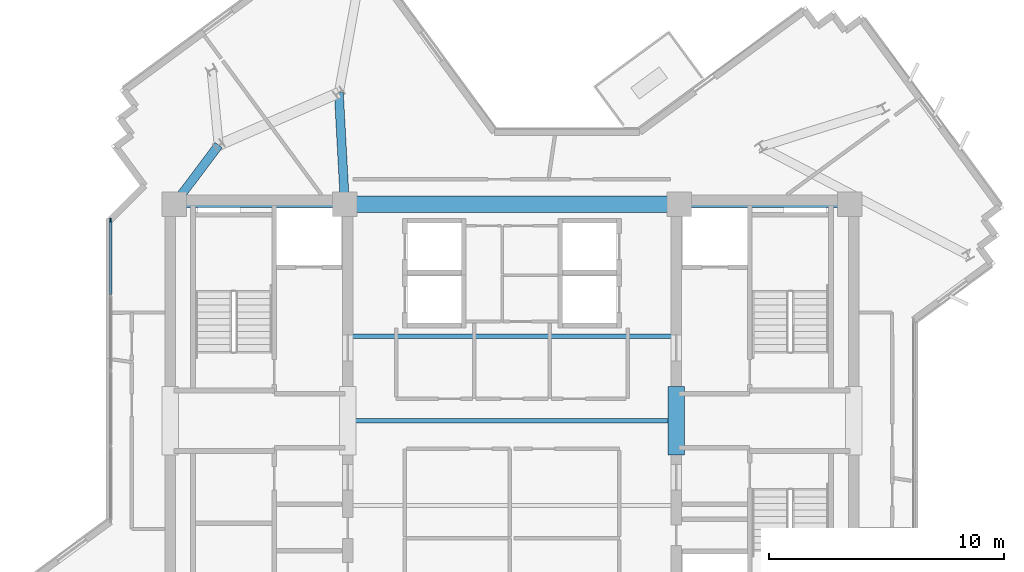
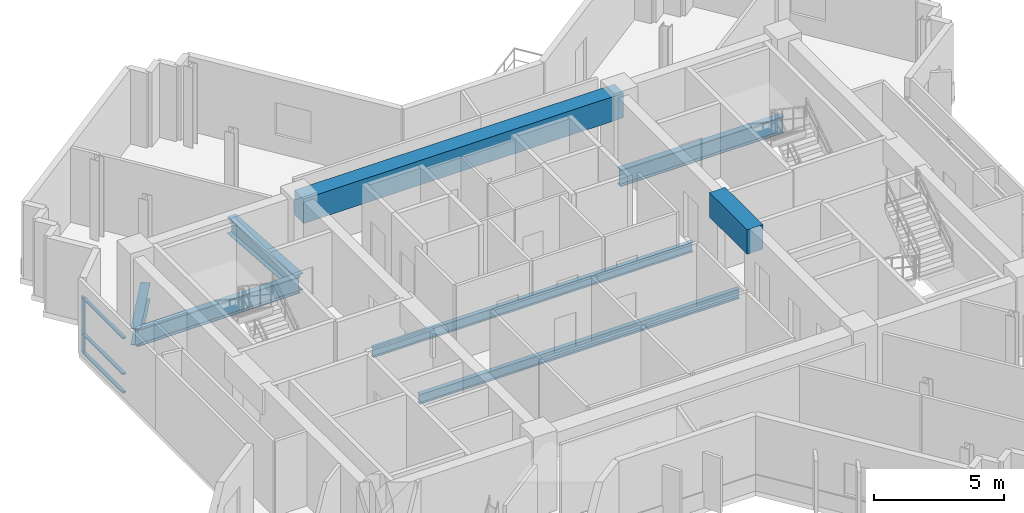
# One storey, part 3 of 13: 8 beams, 4 members, 1 element without a shape of its own.
"""IFC4 building model written with IfcOpenShell, lengths in metres."""

import ifcopenshell
import ifcopenshell.guid

model = None  # the IFC model being written
_history = None  # IfcOwnerHistory: only IFC2X3 demands one
_inside = {}  # id of a spatial element -> (the spatial element, [elements in it])
_under = {}  # id of a project, library or spatial element -> (it, [spatial elements below it])
_declared = {}  # id of a project -> (the project, [libraries it declares])
_typed = {}  # id of a type object -> (the type object, [elements of that type])
_made_of = {}  # id of a material, layer set ... -> (it, [elements and type objects made of it])


def new_model(schema):
    """Start an empty IFC model of exactly this schema.

    Asked for "IFC4X3", IfcOpenShell would pick the latest addendum, in which some entities
    have other attributes; the version numbers below select the first issue.
    IFC2X3 requires an IfcOwnerHistory on every rooted entity: one is made here for all.
    """
    global model, _history
    if schema == "IFC4X3":
        model = ifcopenshell.file(schema_version=(4, 3, 0, 0))
    else:
        model = ifcopenshell.file(schema=schema)
    _inside.clear()
    _under.clear()
    _declared.clear()
    _typed.clear()
    _made_of.clear()
    _history = None
    if model.schema == "IFC2X3":
        org = make("IfcOrganization", Name="unknown")
        user = make(
            "IfcPersonAndOrganization",
            ThePerson=make("IfcPerson", FamilyName="unknown"),
            TheOrganization=org,
        )
        app = make(
            "IfcApplication",
            ApplicationDeveloper=org,
            Version="unknown",
            ApplicationFullName="unknown",
            ApplicationIdentifier="unknown",
        )
        _history = make(
            "IfcOwnerHistory",
            OwningUser=user,
            OwningApplication=app,
            ChangeAction="ADDED",
            CreationDate=0,
        )
    return model


def make(cls, **values):
    """One entity of the class cls with the attributes given. An attribute that is None is left unset."""
    return model.create_entity(
        cls, **{name: value for name, value in values.items() if value is not None}
    )


def rooted(cls, **values):
    """An entity with a GlobalId (a new one), such as an element, a storey or a relation."""
    return make(cls, GlobalId=ifcopenshell.guid.new(), OwnerHistory=_history, **values)


def si_unit(unit_type, name, prefix=None):
    """IfcSIUnit, for example si_unit("LENGTHUNIT", "METRE", prefix="MILLI")."""
    return make("IfcSIUnit", UnitType=unit_type, Prefix=prefix, Name=name)


def assignment(units):
    """IfcUnitAssignment: the units of a project."""
    return None if units is None else make("IfcUnitAssignment", Units=units)


def point(xyz):
    """IfcCartesianPoint."""
    return None if xyz is None else make("IfcCartesianPoint", Coordinates=xyz)


def direction(xyz):
    """IfcDirection."""
    return None if xyz is None else make("IfcDirection", DirectionRatios=xyz)


def frame(location, z_axis=None, x_axis=None):
    """IfcAxis2Placement3D, a coordinate frame: its origin and axes. An axis left out is left unset."""
    return make(
        "IfcAxis2Placement3D",
        Location=point(location),
        Axis=direction(z_axis),
        RefDirection=direction(x_axis),
    )


def frame_2d(location, x_axis=None):
    """IfcAxis2Placement2D, a coordinate frame in the plane: its origin and x axis."""
    return make(
        "IfcAxis2Placement2D", Location=point(location), RefDirection=direction(x_axis)
    )


def origin():
    """The frame at (0, 0, 0) with its axes left unset."""
    return frame((0.0, 0.0, 0.0))


def origin_2d():
    """The frame at (0, 0) in the plane with its x axis left unset."""
    return frame_2d((0.0, 0.0))


def place(relative_to, where):
    """IfcLocalPlacement: puts the frame where relative to a parent placement (None: the world)."""
    return make(
        "IfcLocalPlacement", PlacementRelTo=relative_to, RelativePlacement=where
    )


def context(
    kind, dimensions, precision=None, world=None, true_north=None, identifier=None
):
    """IfcGeometricRepresentationContext, for example the 3D "Model" context."""
    return make(
        "IfcGeometricRepresentationContext",
        ContextIdentifier=identifier,
        ContextType=kind,
        CoordinateSpaceDimension=dimensions,
        Precision=precision,
        WorldCoordinateSystem=world,
        TrueNorth=true_north,
    )


def subcontext(parent, identifier, kind, view, scale=None):
    """IfcGeometricRepresentationSubContext, for example "Body" below "Model"."""
    return make(
        "IfcGeometricRepresentationSubContext",
        ContextIdentifier=identifier,
        ContextType=kind,
        ParentContext=parent,
        TargetScale=scale,
        TargetView=view,
    )


def project(units=None, contexts=None):
    """IfcProject with its units and contexts."""
    return rooted(
        "IfcProject",
        Name="project",
        RepresentationContexts=contexts,
        UnitsInContext=assignment(units),
    )


def spatial(cls, under=None, at=None, **own):
    """A site, building, storey or space (cls), placed at a placement, below another one or the project."""
    s = rooted(cls, ObjectPlacement=at, **own)
    if under is not None:
        _under.setdefault(under.id(), (under, []))[1].append(s)
    return s


def profile(cls, at=None, kind="AREA", **sizes):
    """A parametric profile (cls). Its sizes go by their IFC names, for example OverallWidth=200.0."""
    return make(cls, ProfileType=kind, Position=at, **sizes)


def rectangle(**sizes):
    """IfcRectangleProfileDef."""
    return profile("IfcRectangleProfileDef", **sizes)


def i_section(**sizes):
    """IfcIShapeProfileDef."""
    return profile("IfcIShapeProfileDef", **sizes)


def extrude(swept, where, along, depth):
    """IfcExtrudedAreaSolid: the profile swept, set in the frame where, extruded along a direction by depth."""
    return make(
        "IfcExtrudedAreaSolid",
        SweptArea=swept,
        Position=where,
        ExtrudedDirection=direction(along),
        Depth=depth,
    )


def shape(context_of_items, identifier, shape_type, items):
    """IfcShapeRepresentation: the items that make up one representation, for example the "Body"."""
    return make(
        "IfcShapeRepresentation",
        ContextOfItems=context_of_items,
        RepresentationIdentifier=identifier,
        RepresentationType=shape_type,
        Items=items,
    )


def source(mapping_origin, context_of_items, identifier, shape_type, items):
    """IfcRepresentationMap: a shape defined once, which mapped items show again and again."""
    return make(
        "IfcRepresentationMap",
        MappingOrigin=mapping_origin,
        MappedRepresentation=shape(context_of_items, identifier, shape_type, items),
    )


def transform(
    local_origin,
    x_axis=None,
    y_axis=None,
    z_axis=None,
    scale=None,
    scale2=None,
    scale3=None,
    uniform=True,
):
    """IfcCartesianTransformationOperator3D, or its non-uniform kind. x_axis, y_axis, z_axis: its Axis1, 2, 3."""
    if uniform:
        return make(
            "IfcCartesianTransformationOperator3D",
            Axis1=direction(x_axis),
            Axis2=direction(y_axis),
            LocalOrigin=point(local_origin),
            Scale=scale,
            Axis3=direction(z_axis),
        )
    return make(
        "IfcCartesianTransformationOperator3DnonUniform",
        Axis1=direction(x_axis),
        Axis2=direction(y_axis),
        LocalOrigin=point(local_origin),
        Scale=scale,
        Axis3=direction(z_axis),
        Scale2=scale2,
        Scale3=scale3,
    )


def mapped(mapping_source, mapping_target):
    """IfcMappedItem: shows the shape of a source again, moved by a transform."""
    return make(
        "IfcMappedItem", MappingSource=mapping_source, MappingTarget=mapping_target
    )


def material(Name=None, Category=None):
    """IfcMaterial."""
    return make("IfcMaterial", Name=Name, Category=Category)


def layer(
    of_material, thickness, ventilated=None, Name=None, Category=None, Priority=None
):
    """IfcMaterialLayer: one layer of a wall or slab, of a material (None: an air gap)."""
    return make(
        "IfcMaterialLayer",
        Material=of_material,
        LayerThickness=thickness,
        IsVentilated=ventilated,
        Name=Name,
        Category=Category,
        Priority=Priority,
    )


def layer_set(layers, Name=None):
    """IfcMaterialLayerSet."""
    return make("IfcMaterialLayerSet", MaterialLayers=layers, LayerSetName=Name)


def material_profile(
    of_material, cross_section, Name=None, Category=None, Priority=None
):
    """IfcMaterialProfile: a cross section and its material."""
    return make(
        "IfcMaterialProfile",
        Name=Name,
        Material=of_material,
        Profile=cross_section,
        Priority=Priority,
        Category=Category,
    )


def profile_set(profiles, Name=None, composite=None):
    """IfcMaterialProfileSet."""
    return make(
        "IfcMaterialProfileSet",
        Name=Name,
        MaterialProfiles=profiles,
        CompositeProfile=composite,
    )


def made_of(thing, what):
    """Note that an element or type object is made of a material, layer set ...; save() writes the relation."""
    if what is not None:
        _made_of.setdefault(what.id(), (what, []))[1].append(thing)
    return thing


def type_object(cls, material=None, **own):
    """A type object (cls), such as IfcWallType, which elements share."""
    return made_of(rooted(cls, **own), material)


def element(
    cls,
    number,
    at=None,
    inside=None,
    cuts=None,
    type_object=None,
    material=None,
    context=None,
    identifier="Body",
    shape_type=None,
    held_by="IfcProductDefinitionShape",
    body=None,
    shapes=None,
    **own,
):
    """One element of the class cls, such as IfcWall. Its Tag is "e" and its number.

    at: its placement. inside: the storey or other place that contains it. cuts: it is an
    opening in that element (IfcRelVoidsElement). A single representation is given by context,
    identifier, shape_type and body (its items); several are given by shapes. held_by: the class
    of the entity that holds the representations. save() writes the other relations.
    """
    e = rooted(cls, Tag="e%d" % number, ObjectPlacement=at, **own)
    if body is not None:
        shapes = [shape(context, identifier, shape_type, body)]
    if shapes is not None:
        e.Representation = make(held_by, Representations=shapes)
    if inside is not None:
        _inside.setdefault(inside.id(), (inside, []))[1].append(e)
    if cuts is not None:
        rooted(
            "IfcRelVoidsElement", RelatingBuildingElement=cuts, RelatedOpeningElement=e
        )
    if type_object is not None:
        _typed.setdefault(type_object.id(), (type_object, []))[1].append(e)
    return made_of(e, material)


def aggregate(whole, parts):
    """IfcRelAggregates: a whole, such as a stair, and the parts it consists of."""
    return rooted("IfcRelAggregates", RelatingObject=whole, RelatedObjects=parts)


def save(model, path):
    """Write the relations noted so far, then the file.

    IfcRelAggregates (storeys below a building ...), IfcRelContainedInSpatialStructure (elements
    in a storey), IfcRelDefinesByType, IfcRelAssociatesMaterial and IfcRelDeclares: one each for
    every whole, place, type object, material and project.
    """
    for whole, parts in _under.values():
        aggregate(whole, parts)
    for where, things in _inside.values():
        rooted(
            "IfcRelContainedInSpatialStructure",
            RelatedElements=things,
            RelatingStructure=where,
        )
    for kind, things in _typed.values():
        rooted("IfcRelDefinesByType", RelatedObjects=things, RelatingType=kind)
    for what, things in _made_of.values():
        rooted("IfcRelAssociatesMaterial", RelatedObjects=things, RelatingMaterial=what)
    for by, libraries in _declared.values():
        rooted("IfcRelDeclares", RelatingContext=by, RelatedDefinitions=libraries)
    model.write(path)


model = new_model("IFC4")

# Units and contexts
model_context = context("Model", 3, precision=1e-05, world=origin(), true_north=direction((0.0, 1.0)))
body_context = subcontext(model_context, "Body", "Model", "MODEL_VIEW")
ifc_project = project(units=[si_unit("LENGTHUNIT", "METRE"), si_unit("AREAUNIT", "SQUARE_METRE"), si_unit("VOLUMEUNIT", "CUBIC_METRE"), si_unit("PLANEANGLEUNIT", "RADIAN"), si_unit("MASSUNIT", "GRAM", prefix="KILO")], contexts=[model_context])

# Site, building, storey
site_placement = place(None, origin())
site = spatial("IfcSite", under=ifc_project, at=site_placement, CompositionType="ELEMENT")
building_placement = place(site_placement, origin())
building = spatial("IfcBuilding", under=site, at=building_placement, Name="Zahravan Cultural Tower", CompositionType="ELEMENT")
storey_placement = place(building_placement, frame((0.0, 0.0, 272.85009765625)))
storey = spatial("IfcBuildingStorey", under=building, at=storey_placement, Name="L65", CompositionType="ELEMENT", Elevation=272.85009765625)

# Beams
ifc_material_1 = material(Name="Concrete C50/60", Category="concrete")
ifc_material_profile_1 = material_profile(ifc_material_1, rectangle(XDim=0.699951171875, YDim=1.14990234375, at=origin_2d()), Name="RC700X1150")
ifc_profile_set_1 = profile_set([ifc_material_profile_1], Name="Concrete C50/60")
beam_type_1 = type_object("IfcBeamType", Name="BM-LN-RC700X1150", PredefinedType="LINTEL", material=ifc_profile_set_1)
shared_shape_1 = source(origin(), body_context, "Body", "SweptSolid", [
    extrude(rectangle(XDim=0.699951171875, YDim=1.14990234375, at=origin_2d()), origin(), (0.0, 0.0, 1.0), 14.2001953125),
])
beam_1_placement = place(storey_placement, frame((28.89990234375, 36.199951171875, 2.9248046875), z_axis=(1.0, 0.0, 0.0), x_axis=(0.0, 1.0, 0.0)))
element("IfcBeam", 1, at=beam_1_placement, inside=storey, type_object=beam_type_1, Name="L65 Beam LN-L65-N", PredefinedType="LINTEL", context=body_context, shape_type="MappedRepresentation", body=[
    mapped(shared_shape_1, transform((0.0, 0.0, 0.0), x_axis=(1.0, 0.0, 0.0), y_axis=(0.0, 1.0, 0.0), z_axis=(0.0, 0.0, 1.0), scale=1.0)),
])
shared_shape_2 = source(origin(), body_context, "Body", "SweptSolid", [
    extrude(rectangle(XDim=0.699951171875, YDim=1.14990234375, at=origin_2d()), origin(), (0.0, 0.0, 1.0), 2.89990234375),
])
beam_2_placement = place(storey_placement, frame((42.97509765625, 25.550048828125, 2.9248046875), z_axis=(0.0, 1.0, 0.0), x_axis=(-1.0, 0.0, 0.0)))
element("IfcBeam", 2, at=beam_2_placement, inside=storey, type_object=beam_type_1, Name="L65 Beam LN-L65-PEW", PredefinedType="LINTEL", context=body_context, shape_type="MappedRepresentation", body=[
    mapped(shared_shape_2, transform((0.0, 0.0, 0.0), x_axis=(1.0, 0.0, 0.0), y_axis=(0.0, 1.0, 0.0), z_axis=(0.0, 0.0, 1.0), scale=1.0)),
])
ifc_material_2 = material(Name="Steel ASTM A992 Grade 50", Category="steel")
ifc_material_profile_2 = material_profile(ifc_material_2, i_section(OverallWidth=0.26611328125, OverallDepth=0.780029296875, WebThickness=0.0166015625, FlangeThickness=0.030029296875, FilletRadius=0.01904296875, at=origin_2d()), Name="W30X148")
ifc_profile_set_2 = profile_set([ifc_material_profile_2], Name="Steel ASTM A992 Grade 50")
beam_type_2 = type_object("IfcBeamType", Name="BM-G-W30X148", PredefinedType="BEAM", material=ifc_profile_set_2)
shared_shape_3 = source(origin(), body_context, "Body", "SweptSolid", [
    extrude(i_section(OverallWidth=0.26611328125, OverallDepth=0.780029296875, WebThickness=0.0166015625, FlangeThickness=0.030029296875, FilletRadius=0.01904296875, at=origin_2d()), origin(), (0.0, 0.0, 1.0), 7.25),
])
for number, where, z_axis, x_axis, name in (
    (3, (21.64990234375, 36.199951171875, -0.64013671875), (1.0, 0.0, 0.0), (0.0, 1.0, 0.0), "L65 Beam BG-L65-02"),
    (4, (43.10009765625, 36.199951171875, -0.64013671875), (1.0, 0.0, 0.0), (0.0, 1.0, 0.0), "L65 Beam BG-L65-05"),
):
    element("IfcBeam", number, at=place(storey_placement, frame(where, z_axis=z_axis, x_axis=x_axis)), inside=storey, type_object=beam_type_2, Name=name, PredefinedType="BEAM", context=body_context, shape_type="MappedRepresentation", body=[
        mapped(shared_shape_3, transform((0.0, 0.0, 0.0), x_axis=(1.0, 0.0, 0.0), y_axis=(0.0, 1.0, 0.0), z_axis=(0.0, 0.0, 1.0), scale=1.0)),
    ])
ifc_material_profile_3 = material_profile(ifc_material_2, i_section(OverallWidth=0.18994140625, OverallDepth=0.45703125, WebThickness=0.009033203125, FlangeThickness=0.014404296875, FilletRadius=0.012939453125, at=origin_2d()), Name="W18X50")
ifc_profile_set_3 = profile_set([ifc_material_profile_3], Name="Steel ASTM A992 Grade 50")
beam_type_3 = type_object("IfcBeamType", Name="BM-J-W18X50", PredefinedType="JOIST", material=ifc_profile_set_3)
shared_shape_4 = source(origin(), body_context, "Body", "SweptSolid", [
    extrude(i_section(OverallWidth=0.18994140625, OverallDepth=0.45703125, WebThickness=0.009033203125, FlangeThickness=0.014404296875, FilletRadius=0.012939453125, at=origin_2d()), origin(), (0.0, 0.0, 1.0), 14.2001953125),
])
for number, where, z_axis, x_axis, name in (
    (5, (28.89990234375, 27.0, -0.478515625), (1.0, 0.0, 0.0), (0.0, 1.0, 0.0), "L65 Beam BJ-L65-24"),
    (6, (28.89990234375, 30.60009765625, -0.478515625), (1.0, 0.0, 0.0), (0.0, 1.0, 0.0), "L65 Beam BJ-L65-25"),
):
    element("IfcBeam", number, at=place(storey_placement, frame(where, z_axis=z_axis, x_axis=x_axis)), inside=storey, type_object=beam_type_3, Name=name, PredefinedType="JOIST", context=body_context, shape_type="MappedRepresentation", body=[
        mapped(shared_shape_4, transform((0.0, 0.0, 0.0), x_axis=(1.0, 0.0, 0.0), y_axis=(0.0, 1.0, 0.0), z_axis=(0.0, 0.0, 1.0), scale=1.0)),
    ])
ifc_material_profile_4 = material_profile(ifc_material_2, i_section(OverallWidth=0.382080078125, OverallDepth=0.779052734375, WebThickness=0.01806640625, FlangeThickness=0.030029296875, FilletRadius=0.01904296875, at=origin_2d()), Name="W30X191")
ifc_profile_set_4 = profile_set([ifc_material_profile_4], Name="Steel ASTM A992 Grade 50")
beam_type_4 = type_object("IfcBeamType", Name="BM-G-W30X191", PredefinedType="BEAM", material=ifc_profile_set_4)
shared_shape_5 = source(origin(), body_context, "Body", "SweptSolid", [
    extrude(i_section(OverallWidth=0.382080078125, OverallDepth=0.779052734375, WebThickness=0.01806640625, FlangeThickness=0.030029296875, FilletRadius=0.01904296875, at=origin_2d()), origin(), (0.0, 0.0, 1.0), 4.744384765625),
])
beam_3_placement = place(storey_placement, frame((28.89990234375, 36.199951171875, -0.6396484375), z_axis=(-0.054238739845, 0.998527996152, 0.0), x_axis=(-0.998527996152, -0.054238739845, 0.0)))
element("IfcBeam", 7, at=beam_3_placement, inside=storey, type_object=beam_type_4, Name="L65 Beam BG-L65-10", PredefinedType="BEAM", context=body_context, shape_type="MappedRepresentation", body=[
    mapped(shared_shape_5, transform((0.0, 0.0, 0.0), x_axis=(1.0, 0.0, 0.0), y_axis=(0.0, 1.0, 0.0), z_axis=(0.0, 0.0, 1.0), scale=1.0)),
])
shared_shape_6 = source(origin(), body_context, "Body", "SweptSolid", [
    extrude(i_section(OverallWidth=0.382080078125, OverallDepth=0.779052734375, WebThickness=0.01806640625, FlangeThickness=0.030029296875, FilletRadius=0.01904296875, at=origin_2d()), origin(), (0.0, 0.0, 1.0), 3.140380859375),
])
beam_4_placement = place(storey_placement, frame((21.64990234375, 36.199951171875, -0.6396484375), z_axis=(0.600696322208, 0.799477284534, 0.0), x_axis=(-0.799477284534, 0.600696322208, 0.0)))
element("IfcBeam", 8, at=beam_4_placement, inside=storey, type_object=beam_type_4, Name="L65 Beam BG-L65-11", PredefinedType="BEAM", context=body_context, shape_type="MappedRepresentation", body=[
    mapped(shared_shape_6, transform((0.0, 0.0, 0.0), x_axis=(1.0, 0.0, 0.0), y_axis=(0.0, 1.0, 0.0), z_axis=(0.0, 0.0, 1.0), scale=1.0)),
])

# Curtain wall, members
ifc_material_3 = material(Name="Anodised bronze-aluminium mullion", Category="aluminium")
ifc_layer = layer(ifc_material_3, 0.179931640625)
ifc_layer_set = layer_set([ifc_layer], Name="Anodised bronze-aluminium mullion")
curtain_wall_type = type_object("IfcCurtainWallType", Name="CW-SYS-3", PredefinedType="USERDEFINED", material=ifc_layer_set)
curtain_wall_placement = place(storey_placement, origin())
curtain_wall = element("IfcCurtainWall", 9, at=curtain_wall_placement, inside=storey, type_object=curtain_wall_type, Name="L65 Recessed Curtain Wall CW-3.2", ObjectType="RECESSED GLAZING", PredefinedType="USERDEFINED")
ifc_material_profile_5 = material_profile(ifc_material_3, rectangle(XDim=0.070068359375, YDim=0.179931640625, at=origin_2d()), Name="AL-M70X180")
ifc_profile_set_5 = profile_set([ifc_material_profile_5], Name="Anodised bronze-aluminium mullion")
member_type_1 = type_object("IfcMemberType", Name="CWM-CW-3", PredefinedType="MULLION", material=ifc_profile_set_5)
shared_shape_7 = source(origin(), body_context, "Body", "SweptSolid", [
    extrude(rectangle(XDim=0.070068359375, YDim=0.179931640625, at=origin_2d()), origin(), (0.0, 0.0, 1.0), 2.619873046875),
])
member_1_placement = place(storey_placement, frame((18.93994140625, 35.507080078125, 0.0), z_axis=(0.0, 0.0, 1.0), x_axis=(-1.0, 0.0, 0.0)))
member_1 = element("IfcMember", 10, at=member_1_placement, type_object=member_type_1, Name="CW-3 mullion 5", PredefinedType="MULLION", context=body_context, shape_type="MappedRepresentation", body=[
    mapped(shared_shape_7, transform((0.0, 0.0, 0.0), x_axis=(1.0, 0.0, 0.0), y_axis=(0.0, 1.0, 0.0), z_axis=(0.0, 0.0, 1.0), scale=1.0)),
])
ifc_material_profile_6 = material_profile(ifc_material_3, rectangle(XDim=0.139892578125, YDim=0.070068359375, at=origin_2d()), Name="AL-T70X140")
ifc_profile_set_6 = profile_set([ifc_material_profile_6], Name="Anodised bronze-aluminium mullion")
member_type_2 = type_object("IfcMemberType", Name="CWT-CW-3", PredefinedType="USERDEFINED", material=ifc_profile_set_6)
shared_shape_8 = source(origin(), body_context, "Body", "SweptSolid", [
    extrude(rectangle(XDim=0.139892578125, YDim=0.070068359375, at=origin_2d()), origin(), (0.0, 0.0, 1.0), 3.101806640625),
])
member_2_placement = place(storey_placement, frame((18.93994140625, 32.3701171875, 0.034912109375), z_axis=(0.0, 1.0, 0.0), x_axis=(-1.0, 0.0, 0.0)))
member_2 = element("IfcMember", 11, at=member_2_placement, type_object=member_type_2, Name="CW-3 transom 4.1", ObjectType="TRANSOM", PredefinedType="USERDEFINED", context=body_context, shape_type="MappedRepresentation", body=[
    mapped(shared_shape_8, transform((0.0, 0.0, 0.0), x_axis=(1.0, 0.0, 0.0), y_axis=(0.0, 1.0, 0.0), z_axis=(0.0, 0.0, 1.0), scale=1.0)),
])
member_3_placement = place(storey_placement, frame((18.93994140625, 32.3701171875, 0.89990234375), z_axis=(0.0, 1.0, 0.0), x_axis=(-1.0, 0.0, 0.0)))
member_3 = element("IfcMember", 12, at=member_3_placement, type_object=member_type_2, Name="CW-3 transom 4.2", ObjectType="TRANSOM", PredefinedType="USERDEFINED", context=body_context, shape_type="MappedRepresentation", body=[
    mapped(shared_shape_8, transform((0.0, 0.0, 0.0), x_axis=(1.0, 0.0, 0.0), y_axis=(0.0, 1.0, 0.0), z_axis=(0.0, 0.0, 1.0), scale=1.0)),
])
member_4_placement = place(storey_placement, frame((18.93994140625, 32.3701171875, 2.5849609375), z_axis=(0.0, 1.0, 0.0), x_axis=(-1.0, 0.0, 0.0)))
member_4 = element("IfcMember", 13, at=member_4_placement, type_object=member_type_2, Name="CW-3 transom 4.3", ObjectType="TRANSOM", PredefinedType="USERDEFINED", context=body_context, shape_type="MappedRepresentation", body=[
    mapped(shared_shape_8, transform((0.0, 0.0, 0.0), x_axis=(1.0, 0.0, 0.0), y_axis=(0.0, 1.0, 0.0), z_axis=(0.0, 0.0, 1.0), scale=1.0)),
])
aggregate(curtain_wall, [member_1, member_2, member_3, member_4])

save(model, "model.ifc")
